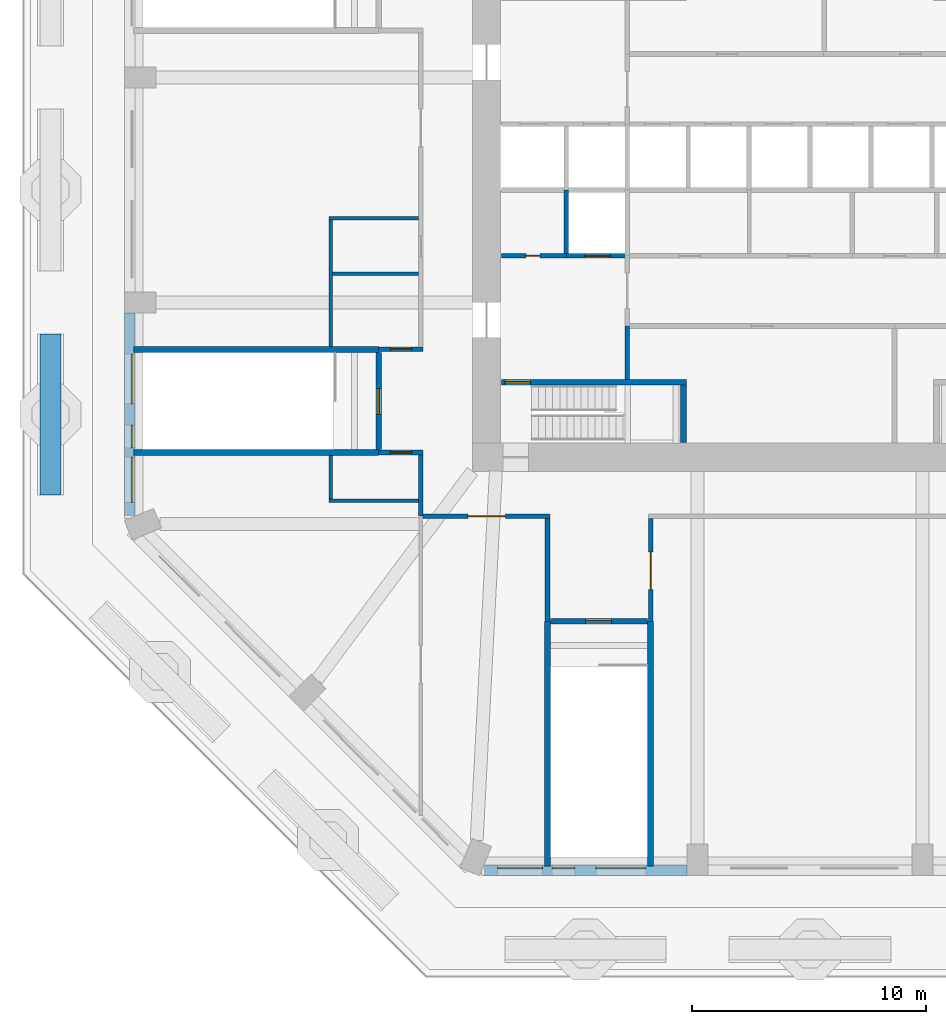
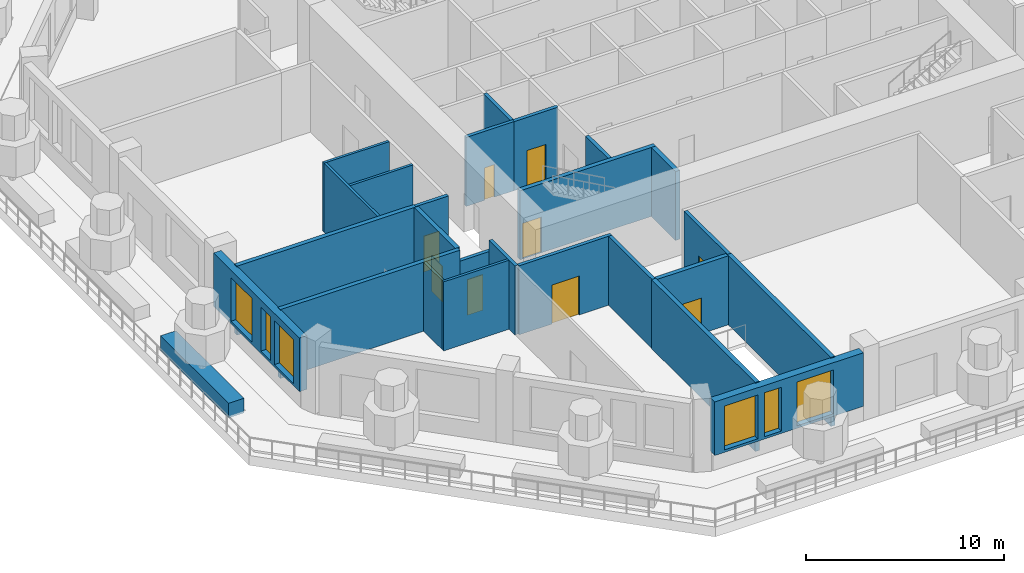
# One storey, part 3 of 13: 26 walls, 9 doors, 6 windows, 15 openings.
"""IFC4 building model written with IfcOpenShell, lengths in metres."""

import ifcopenshell
import ifcopenshell.guid

model = None  # the IFC model being written
_history = None  # IfcOwnerHistory: only IFC2X3 demands one
_inside = {}  # id of a spatial element -> (the spatial element, [elements in it])
_under = {}  # id of a project, library or spatial element -> (it, [spatial elements below it])
_declared = {}  # id of a project -> (the project, [libraries it declares])
_typed = {}  # id of a type object -> (the type object, [elements of that type])
_made_of = {}  # id of a material, layer set ... -> (it, [elements and type objects made of it])


def new_model(schema):
    """Start an empty IFC model of exactly this schema.

    Asked for "IFC4X3", IfcOpenShell would pick the latest addendum, in which some entities
    have other attributes; the version numbers below select the first issue.
    IFC2X3 requires an IfcOwnerHistory on every rooted entity: one is made here for all.
    """
    global model, _history
    if schema == "IFC4X3":
        model = ifcopenshell.file(schema_version=(4, 3, 0, 0))
    else:
        model = ifcopenshell.file(schema=schema)
    _inside.clear()
    _under.clear()
    _declared.clear()
    _typed.clear()
    _made_of.clear()
    _history = None
    if model.schema == "IFC2X3":
        org = make("IfcOrganization", Name="unknown")
        user = make(
            "IfcPersonAndOrganization",
            ThePerson=make("IfcPerson", FamilyName="unknown"),
            TheOrganization=org,
        )
        app = make(
            "IfcApplication",
            ApplicationDeveloper=org,
            Version="unknown",
            ApplicationFullName="unknown",
            ApplicationIdentifier="unknown",
        )
        _history = make(
            "IfcOwnerHistory",
            OwningUser=user,
            OwningApplication=app,
            ChangeAction="ADDED",
            CreationDate=0,
        )
    return model


def make(cls, **values):
    """One entity of the class cls with the attributes given. An attribute that is None is left unset."""
    return model.create_entity(
        cls, **{name: value for name, value in values.items() if value is not None}
    )


def rooted(cls, **values):
    """An entity with a GlobalId (a new one), such as an element, a storey or a relation."""
    return make(cls, GlobalId=ifcopenshell.guid.new(), OwnerHistory=_history, **values)


def si_unit(unit_type, name, prefix=None):
    """IfcSIUnit, for example si_unit("LENGTHUNIT", "METRE", prefix="MILLI")."""
    return make("IfcSIUnit", UnitType=unit_type, Prefix=prefix, Name=name)


def assignment(units):
    """IfcUnitAssignment: the units of a project."""
    return None if units is None else make("IfcUnitAssignment", Units=units)


def point(xyz):
    """IfcCartesianPoint."""
    return None if xyz is None else make("IfcCartesianPoint", Coordinates=xyz)


def direction(xyz):
    """IfcDirection."""
    return None if xyz is None else make("IfcDirection", DirectionRatios=xyz)


def frame(location, z_axis=None, x_axis=None):
    """IfcAxis2Placement3D, a coordinate frame: its origin and axes. An axis left out is left unset."""
    return make(
        "IfcAxis2Placement3D",
        Location=point(location),
        Axis=direction(z_axis),
        RefDirection=direction(x_axis),
    )


def frame_2d(location, x_axis=None):
    """IfcAxis2Placement2D, a coordinate frame in the plane: its origin and x axis."""
    return make(
        "IfcAxis2Placement2D", Location=point(location), RefDirection=direction(x_axis)
    )


def origin():
    """The frame at (0, 0, 0) with its axes left unset."""
    return frame((0.0, 0.0, 0.0))


def place(relative_to, where):
    """IfcLocalPlacement: puts the frame where relative to a parent placement (None: the world)."""
    return make(
        "IfcLocalPlacement", PlacementRelTo=relative_to, RelativePlacement=where
    )


def context(
    kind, dimensions, precision=None, world=None, true_north=None, identifier=None
):
    """IfcGeometricRepresentationContext, for example the 3D "Model" context."""
    return make(
        "IfcGeometricRepresentationContext",
        ContextIdentifier=identifier,
        ContextType=kind,
        CoordinateSpaceDimension=dimensions,
        Precision=precision,
        WorldCoordinateSystem=world,
        TrueNorth=true_north,
    )


def subcontext(parent, identifier, kind, view, scale=None):
    """IfcGeometricRepresentationSubContext, for example "Body" below "Model"."""
    return make(
        "IfcGeometricRepresentationSubContext",
        ContextIdentifier=identifier,
        ContextType=kind,
        ParentContext=parent,
        TargetScale=scale,
        TargetView=view,
    )


def project(units=None, contexts=None):
    """IfcProject with its units and contexts."""
    return rooted(
        "IfcProject",
        Name="project",
        RepresentationContexts=contexts,
        UnitsInContext=assignment(units),
    )


def spatial(cls, under=None, at=None, **own):
    """A site, building, storey or space (cls), placed at a placement, below another one or the project."""
    s = rooted(cls, ObjectPlacement=at, **own)
    if under is not None:
        _under.setdefault(under.id(), (under, []))[1].append(s)
    return s


def profile(cls, at=None, kind="AREA", **sizes):
    """A parametric profile (cls). Its sizes go by their IFC names, for example OverallWidth=200.0."""
    return make(cls, ProfileType=kind, Position=at, **sizes)


def rectangle(**sizes):
    """IfcRectangleProfileDef."""
    return profile("IfcRectangleProfileDef", **sizes)


def extrude(swept, where, along, depth):
    """IfcExtrudedAreaSolid: the profile swept, set in the frame where, extruded along a direction by depth."""
    return make(
        "IfcExtrudedAreaSolid",
        SweptArea=swept,
        Position=where,
        ExtrudedDirection=direction(along),
        Depth=depth,
    )


def shape(context_of_items, identifier, shape_type, items):
    """IfcShapeRepresentation: the items that make up one representation, for example the "Body"."""
    return make(
        "IfcShapeRepresentation",
        ContextOfItems=context_of_items,
        RepresentationIdentifier=identifier,
        RepresentationType=shape_type,
        Items=items,
    )


def material(Name=None, Category=None):
    """IfcMaterial."""
    return make("IfcMaterial", Name=Name, Category=Category)


def layer(
    of_material, thickness, ventilated=None, Name=None, Category=None, Priority=None
):
    """IfcMaterialLayer: one layer of a wall or slab, of a material (None: an air gap)."""
    return make(
        "IfcMaterialLayer",
        Material=of_material,
        LayerThickness=thickness,
        IsVentilated=ventilated,
        Name=Name,
        Category=Category,
        Priority=Priority,
    )


def layer_set(layers, Name=None):
    """IfcMaterialLayerSet."""
    return make("IfcMaterialLayerSet", MaterialLayers=layers, LayerSetName=Name)


def made_of(thing, what):
    """Note that an element or type object is made of a material, layer set ...; save() writes the relation."""
    if what is not None:
        _made_of.setdefault(what.id(), (what, []))[1].append(thing)
    return thing


def type_object(cls, material=None, **own):
    """A type object (cls), such as IfcWallType, which elements share."""
    return made_of(rooted(cls, **own), material)


def element(
    cls,
    number,
    at=None,
    inside=None,
    cuts=None,
    type_object=None,
    material=None,
    context=None,
    identifier="Body",
    shape_type=None,
    held_by="IfcProductDefinitionShape",
    body=None,
    shapes=None,
    **own,
):
    """One element of the class cls, such as IfcWall. Its Tag is "e" and its number.

    at: its placement. inside: the storey or other place that contains it. cuts: it is an
    opening in that element (IfcRelVoidsElement). A single representation is given by context,
    identifier, shape_type and body (its items); several are given by shapes. held_by: the class
    of the entity that holds the representations. save() writes the other relations.
    """
    e = rooted(cls, Tag="e%d" % number, ObjectPlacement=at, **own)
    if body is not None:
        shapes = [shape(context, identifier, shape_type, body)]
    if shapes is not None:
        e.Representation = make(held_by, Representations=shapes)
    if inside is not None:
        _inside.setdefault(inside.id(), (inside, []))[1].append(e)
    if cuts is not None:
        rooted(
            "IfcRelVoidsElement", RelatingBuildingElement=cuts, RelatedOpeningElement=e
        )
    if type_object is not None:
        _typed.setdefault(type_object.id(), (type_object, []))[1].append(e)
    return made_of(e, material)


def fill(opening, filler):
    """IfcRelFillsElement: the door or window that sits in an opening."""
    return rooted(
        "IfcRelFillsElement",
        RelatingOpeningElement=opening,
        RelatedBuildingElement=filler,
    )


def aggregate(whole, parts):
    """IfcRelAggregates: a whole, such as a stair, and the parts it consists of."""
    return rooted("IfcRelAggregates", RelatingObject=whole, RelatedObjects=parts)


def save(model, path):
    """Write the relations noted so far, then the file.

    IfcRelAggregates (storeys below a building ...), IfcRelContainedInSpatialStructure (elements
    in a storey), IfcRelDefinesByType, IfcRelAssociatesMaterial and IfcRelDeclares: one each for
    every whole, place, type object, material and project.
    """
    for whole, parts in _under.values():
        aggregate(whole, parts)
    for where, things in _inside.values():
        rooted(
            "IfcRelContainedInSpatialStructure",
            RelatedElements=things,
            RelatingStructure=where,
        )
    for kind, things in _typed.values():
        rooted("IfcRelDefinesByType", RelatedObjects=things, RelatingType=kind)
    for what, things in _made_of.values():
        rooted("IfcRelAssociatesMaterial", RelatedObjects=things, RelatingMaterial=what)
    for by, libraries in _declared.values():
        rooted("IfcRelDeclares", RelatingContext=by, RelatedDefinitions=libraries)
    model.write(path)


model = new_model("IFC4")

# Units and contexts
model_context = context("Model", 3, precision=1e-05, world=origin(), true_north=direction((0.0, 1.0)))
body_context = subcontext(model_context, "Body", "Model", "MODEL_VIEW")
ifc_project = project(units=[si_unit("LENGTHUNIT", "METRE"), si_unit("AREAUNIT", "SQUARE_METRE"), si_unit("VOLUMEUNIT", "CUBIC_METRE"), si_unit("PLANEANGLEUNIT", "RADIAN"), si_unit("MASSUNIT", "GRAM", prefix="KILO")], contexts=[model_context])

# Site, building, storey
site_placement = place(None, origin())
site = spatial("IfcSite", under=ifc_project, at=site_placement, CompositionType="ELEMENT")
building_placement = place(site_placement, origin())
building = spatial("IfcBuilding", under=site, at=building_placement, Name="Msitu Wima Residences", CompositionType="ELEMENT")
storey_placement = place(building_placement, frame((0.0, 0.0, 21.0)))
storey = spatial("IfcBuildingStorey", under=building, at=storey_placement, Name="L04", CompositionType="ELEMENT", Elevation=21.0)

# Wall, openings, windows
ifc_material_1 = material(Name="Brick (red buff mix), cavity wall of two leaves", Category="masonry")
ifc_layer_1 = layer(ifc_material_1, 0.449951171875)
ifc_layer_set_1 = layer_set([ifc_layer_1], Name="Brick (red buff mix), cavity wall of two leaves")
wall_type_1 = type_object("IfcWallType", Name="Brick infill wall BW450 podium", PredefinedType="ELEMENTEDWALL", material=ifc_layer_set_1)
wall_1_placement = place(storey_placement, frame((-29.02490234375, -5.25, 0.89990234375), z_axis=(0.0, 0.0, 1.0), x_axis=(0.0, -1.0, 0.0)))
wall_1 = element("IfcWall", 1, at=wall_1_placement, inside=storey, type_object=wall_type_1, Name="Brick infill wall L04 W2", PredefinedType="ELEMENTEDWALL", context=body_context, shape_type="SweptSolid", body=[
    extrude(rectangle(XDim=8.662841796875, YDim=0.449951171875, at=frame_2d((4.33154296875, 0.0))), origin(), (0.0, 0.0, 1.0), 3.300048828125),
])
opening_1_placement = place(wall_1_placement, frame((1.75, 0.0, 0.14990234375)))
opening_1 = element("IfcOpeningElement", 2, at=opening_1_placement, cuts=wall_1, Name="Opening W04.039", PredefinedType="OPENING", context=body_context, shape_type="SweptSolid", body=[
    extrude(rectangle(XDim=2.1298828125, YDim=2.699951171875, at=frame_2d((1.06494140625, 1.35009765625))), frame((0.0, 0.23486328125, 0.0), z_axis=(0.0, -1.0, 0.0), x_axis=(1.0, 0.0, 0.0)), (0.0, 0.0, 1.0), 0.469970703125),
])
opening_2_placement = place(wall_1_placement, frame((4.781494140625, 0.0, 0.14990234375)))
opening_2 = element("IfcOpeningElement", 3, at=opening_2_placement, cuts=wall_1, Name="Opening W04.040", PredefinedType="OPENING", context=body_context, shape_type="SweptSolid", body=[
    extrude(rectangle(XDim=0.969970703125, YDim=2.699951171875, at=frame_2d((0.48486328125, 1.35009765625))), frame((0.0, 0.23486328125, 0.0), z_axis=(0.0, -1.0, 0.0), x_axis=(1.0, 0.0, 0.0)), (0.0, 0.0, 1.0), 0.469970703125),
])
opening_3_placement = place(wall_1_placement, frame((6.14990234375, 0.0, 0.14990234375)))
opening_3 = element("IfcOpeningElement", 4, at=opening_3_placement, cuts=wall_1, Name="Opening W04.041", PredefinedType="OPENING", context=body_context, shape_type="SweptSolid", body=[
    extrude(rectangle(XDim=1.929931640625, YDim=2.699951171875, at=frame_2d((0.96484375, 1.35009765625))), frame((0.0, 0.23486328125, 0.0), z_axis=(0.0, -1.0, 0.0), x_axis=(1.0, 0.0, 0.0)), (0.0, 0.0, 1.0), 0.469970703125),
])
ifc_material_2 = material(Name="Anodised aluminium, bronze finish, clear low-emissivity double glazing", Category="aluminium")
window_type_1 = type_object("IfcWindowType", Name="Window W1930x2700", PartitioningType="DOUBLE_PANEL_VERTICAL", PredefinedType="WINDOW", material=ifc_material_2)
window_1_placement = place(opening_3_placement, origin())
window_1 = element("IfcWindow", 5, at=window_1_placement, inside=storey, type_object=window_type_1, Name="Window L04 W2.2b", OverallHeight=2.699951171875, OverallWidth=1.929931640625, PartitioningType="SINGLE_PANEL", PredefinedType="WINDOW", context=body_context, shape_type="SweptSolid", body=[
    extrude(rectangle(XDim=1.929931640625, YDim=2.699951171875, at=frame_2d((0.96484375, 1.35009765625))), frame((0.0, 0.135009765625, 0.0), z_axis=(0.0, -1.0, 0.0), x_axis=(1.0, 0.0, 0.0)), (0.0, 0.0, 1.0), 0.06005859375),
])
fill(opening_3, window_1)
window_type_2 = type_object("IfcWindowType", Name="Window W2130x2700", PartitioningType="DOUBLE_PANEL_VERTICAL", PredefinedType="WINDOW", material=ifc_material_2)
window_2_placement = place(opening_1_placement, origin())
window_2 = element("IfcWindow", 6, at=window_2_placement, inside=storey, type_object=window_type_2, Name="Window L04 W2.1b", OverallHeight=2.699951171875, OverallWidth=2.1298828125, PartitioningType="SINGLE_PANEL", PredefinedType="WINDOW", context=body_context, shape_type="SweptSolid", body=[
    extrude(rectangle(XDim=2.1298828125, YDim=2.699951171875, at=frame_2d((1.06494140625, 1.35009765625))), frame((0.0, 0.135009765625, 0.0), z_axis=(0.0, -1.0, 0.0), x_axis=(1.0, 0.0, 0.0)), (0.0, 0.0, 1.0), 0.06005859375),
])
fill(opening_1, window_2)
window_type_3 = type_object("IfcWindowType", Name="Window W970x2700", PartitioningType="DOUBLE_PANEL_VERTICAL", PredefinedType="WINDOW", material=ifc_material_2)
window_3_placement = place(opening_2_placement, origin())
window_3 = element("IfcWindow", 7, at=window_3_placement, inside=storey, type_object=window_type_3, Name="Window L04 W2.2a", OverallHeight=2.699951171875, OverallWidth=0.969970703125, PartitioningType="SINGLE_PANEL", PredefinedType="WINDOW", context=body_context, shape_type="SweptSolid", body=[
    extrude(rectangle(XDim=0.969970703125, YDim=2.699951171875, at=frame_2d((0.48486328125, 1.35009765625))), frame((0.0, 0.135009765625, 0.0), z_axis=(0.0, -1.0, 0.0), x_axis=(1.0, 0.0, 0.0)), (0.0, 0.0, 1.0), 0.06005859375),
])
fill(opening_2, window_3)

wall_2_placement = place(storey_placement, frame((-13.912841796875, -29.02490234375, 0.89990234375), z_axis=(0.0, 0.0, 1.0), x_axis=(1.0, 0.0, 0.0)))
wall_2 = element("IfcWall", 8, at=wall_2_placement, inside=storey, type_object=wall_type_1, Name="Brick infill wall L04 S0", PredefinedType="ELEMENTEDWALL", context=body_context, shape_type="SweptSolid", body=[
    extrude(rectangle(XDim=8.662841796875, YDim=0.449951171875, at=frame_2d((4.33154296875, 0.0))), origin(), (0.0, 0.0, 1.0), 3.300048828125),
])
opening_4_placement = place(wall_2_placement, frame((0.58154296875, 0.0, 0.14990234375)))
opening_4 = element("IfcOpeningElement", 9, at=opening_4_placement, cuts=wall_2, Name="Opening W04.021", PredefinedType="OPENING", context=body_context, shape_type="SweptSolid", body=[
    extrude(rectangle(XDim=1.929931640625, YDim=2.699951171875, at=frame_2d((0.96484375, 1.35009765625))), frame((0.0, 0.23486328125, 0.0), z_axis=(0.0, -1.0, 0.0), x_axis=(1.0, 0.0, 0.0)), (0.0, 0.0, 1.0), 0.469970703125),
])
opening_5_placement = place(wall_2_placement, frame((2.912841796875, 0.0, 0.14990234375)))
opening_5 = element("IfcOpeningElement", 10, at=opening_5_placement, cuts=wall_2, Name="Opening W04.022", PredefinedType="OPENING", context=body_context, shape_type="SweptSolid", body=[
    extrude(rectangle(XDim=0.969970703125, YDim=2.699951171875, at=frame_2d((0.48486328125, 1.35009765625))), frame((0.0, 0.23486328125, 0.0), z_axis=(0.0, -1.0, 0.0), x_axis=(1.0, 0.0, 0.0)), (0.0, 0.0, 1.0), 0.469970703125),
])
opening_6_placement = place(wall_2_placement, frame((4.781494140625, 0.0, 0.14990234375)))
opening_6 = element("IfcOpeningElement", 11, at=opening_6_placement, cuts=wall_2, Name="Opening W04.023", PredefinedType="OPENING", context=body_context, shape_type="SweptSolid", body=[
    extrude(rectangle(XDim=2.1298828125, YDim=2.699951171875, at=frame_2d((1.06494140625, 1.35009765625))), frame((0.0, 0.23486328125, 0.0), z_axis=(0.0, -1.0, 0.0), x_axis=(1.0, 0.0, 0.0)), (0.0, 0.0, 1.0), 0.469970703125),
])
window_4_placement = place(opening_4_placement, origin())
window_4 = element("IfcWindow", 12, at=window_4_placement, inside=storey, type_object=window_type_1, Name="Window L04 S0.1a", OverallHeight=2.699951171875, OverallWidth=1.929931640625, PartitioningType="SINGLE_PANEL", PredefinedType="WINDOW", context=body_context, shape_type="SweptSolid", body=[
    extrude(rectangle(XDim=1.929931640625, YDim=2.699951171875, at=frame_2d((0.96484375, 1.35009765625))), frame((0.0, 0.135009765625, 0.0), z_axis=(0.0, -1.0, 0.0), x_axis=(1.0, 0.0, 0.0)), (0.0, 0.0, 1.0), 0.06005859375),
])
fill(opening_4, window_4)
window_5_placement = place(opening_6_placement, origin())
window_5 = element("IfcWindow", 13, at=window_5_placement, inside=storey, type_object=window_type_2, Name="Window L04 S0.2a", OverallHeight=2.699951171875, OverallWidth=2.1298828125, PartitioningType="SINGLE_PANEL", PredefinedType="WINDOW", context=body_context, shape_type="SweptSolid", body=[
    extrude(rectangle(XDim=2.1298828125, YDim=2.699951171875, at=frame_2d((1.06494140625, 1.35009765625))), frame((0.0, 0.135009765625, 0.0), z_axis=(0.0, -1.0, 0.0), x_axis=(1.0, 0.0, 0.0)), (0.0, 0.0, 1.0), 0.06005859375),
])
fill(opening_6, window_5)
window_6_placement = place(opening_5_placement, origin())
window_6 = element("IfcWindow", 14, at=window_6_placement, inside=storey, type_object=window_type_3, Name="Window L04 S0.1b", OverallHeight=2.699951171875, OverallWidth=0.969970703125, PartitioningType="SINGLE_PANEL", PredefinedType="WINDOW", context=body_context, shape_type="SweptSolid", body=[
    extrude(rectangle(XDim=0.969970703125, YDim=2.699951171875, at=frame_2d((0.48486328125, 1.35009765625))), frame((0.0, 0.135009765625, 0.0), z_axis=(0.0, -1.0, 0.0), x_axis=(1.0, 0.0, 0.0)), (0.0, 0.0, 1.0), 0.06005859375),
])
fill(opening_5, window_6)

# Wall, opening, door
ifc_material_3 = material(Name="Plaster")
ifc_layer_2 = layer(ifc_material_3, 0.011962890625, Name="Plaster")
ifc_material_4 = material(Name="Concrete blockwork", Category="masonry")
ifc_layer_3 = layer(ifc_material_4, 0.176025390625, Name="Concrete blockwork")
ifc_layer_4 = layer(ifc_material_3, 0.011962890625, Name="Plaster")
ifc_layer_set_2 = layer_set([ifc_layer_2, ifc_layer_3, ifc_layer_4], Name="Concrete blockwork")
wall_type_2 = type_object("IfcWallType", Name="Corridor wall FW200", PredefinedType="PARTITIONING", material=ifc_layer_set_2)
wall_3_placement = place(storey_placement, frame((-18.39990234375, -11.199951171875, 0.0), z_axis=(0.0, 0.0, 1.0), x_axis=(1.0, 0.0, 0.0)))
wall_3 = element("IfcWall", 15, at=wall_3_placement, inside=storey, type_object=wall_type_2, Name="Corridor wall", PredefinedType="PARTITIONING", context=body_context, shape_type="SweptSolid", body=[
    extrude(rectangle(XDim=1.89990234375, YDim=0.199951171875, at=frame_2d((0.949951171875, 0.0))), origin(), (0.0, 0.0, 1.0), 3.550048828125),
])
opening_7_placement = place(wall_3_placement, frame((0.5, 0.0, 0.0)))
opening_7 = element("IfcOpeningElement", 16, at=opening_7_placement, cuts=wall_3, Name="Opening D04.033", PredefinedType="OPENING", context=body_context, shape_type="SweptSolid", body=[
    extrude(rectangle(XDim=0.89990234375, YDim=2.199951171875, at=frame_2d((0.449951171875, 1.10009765625))), frame((0.0, 0.10986328125, 0.0), z_axis=(0.0, -1.0, 0.0), x_axis=(1.0, 0.0, 0.0)), (0.0, 0.0, 1.0), 0.219970703125),
])
ifc_material_5 = material(Name="Timber flush door, moisture resistant", Category="wood")
door_type_1 = type_object("IfcDoorType", Name="Bathroom door D03 900x2200", OperationType="SINGLE_SWING_LEFT", PredefinedType="DOOR", material=ifc_material_5)
door_1_placement = place(opening_7_placement, origin())
door_1 = element("IfcDoor", 17, at=door_1_placement, inside=storey, type_object=door_type_1, Name="Bathroom door", OperationType="SINGLE_SWING_LEFT", OverallHeight=2.199951171875, OverallWidth=0.89990234375, PredefinedType="DOOR", context=body_context, shape_type="SweptSolid", body=[
    extrude(rectangle(XDim=0.89990234375, YDim=2.199951171875, at=frame_2d((0.449951171875, 1.10009765625))), frame((0.0, 0.02490234375, 0.0), z_axis=(0.0, -1.0, 0.0), x_axis=(1.0, 0.0, 0.0)), (0.0, 0.0, 1.0), 0.050048828125),
])
fill(opening_7, door_1)

wall_4_placement = place(storey_placement, frame((-18.39990234375, -6.800048828125, 0.0), z_axis=(0.0, 0.0, 1.0), x_axis=(1.0, 0.0, 0.0)))
wall_4 = element("IfcWall", 18, at=wall_4_placement, inside=storey, type_object=wall_type_2, Name="Corridor wall", PredefinedType="PARTITIONING", context=body_context, shape_type="SweptSolid", body=[
    extrude(rectangle(XDim=1.89990234375, YDim=0.199951171875, at=frame_2d((0.949951171875, 0.0))), origin(), (0.0, 0.0, 1.0), 4.25),
])
opening_8_placement = place(wall_4_placement, frame((0.5, 0.0, 0.0)))
opening_8 = element("IfcOpeningElement", 19, at=opening_8_placement, cuts=wall_4, Name="Opening D04.034", PredefinedType="OPENING", context=body_context, shape_type="SweptSolid", body=[
    extrude(rectangle(XDim=0.89990234375, YDim=2.199951171875, at=frame_2d((0.449951171875, 1.10009765625))), frame((0.0, 0.10986328125, 0.0), z_axis=(0.0, -1.0, 0.0), x_axis=(1.0, 0.0, 0.0)), (0.0, 0.0, 1.0), 0.219970703125),
])
door_2_placement = place(opening_8_placement, origin())
door_2 = element("IfcDoor", 20, at=door_2_placement, inside=storey, type_object=door_type_1, Name="Bathroom door", OperationType="SINGLE_SWING_RIGHT", OverallHeight=2.199951171875, OverallWidth=0.89990234375, PredefinedType="DOOR", context=body_context, shape_type="SweptSolid", body=[
    extrude(rectangle(XDim=0.89990234375, YDim=2.199951171875, at=frame_2d((0.449951171875, 1.10009765625))), frame((0.0, 0.02490234375, 0.0), z_axis=(0.0, -1.0, 0.0), x_axis=(1.0, 0.0, 0.0)), (0.0, 0.0, 1.0), 0.050048828125),
])
fill(opening_8, door_2)

# Wall
wall_5_placement = place(storey_placement, frame((-16.60009765625, -13.91357421875, 0.0), z_axis=(0.0, 0.0, 1.0), x_axis=(0.0, 1.0, 0.0)))
element("IfcWall", 21, at=wall_5_placement, inside=storey, type_object=wall_type_2, Name="Corridor wall", PredefinedType="PARTITIONING", context=body_context, shape_type="SweptSolid", body=[
    extrude(rectangle(XDim=2.613525390625, YDim=0.199951171875, at=frame_2d((1.306640625, 0.0))), origin(), (0.0, 0.0, 1.0), 4.25),
])

# Wall, opening, door
wall_6_placement = place(storey_placement, frame((-16.5, -13.91357421875, 0.0), z_axis=(0.0, 0.0, 1.0), x_axis=(1.0, 0.0, 0.0)))
wall_6 = element("IfcWall", 22, at=wall_6_placement, inside=storey, type_object=wall_type_2, Name="Corridor wall", PredefinedType="PARTITIONING", context=body_context, shape_type="SweptSolid", body=[
    extrude(rectangle(XDim=5.39990234375, YDim=0.199951171875, at=frame_2d((2.699951171875, 0.0))), origin(), (0.0, 0.0, 1.0), 4.25),
])
opening_9_placement = place(wall_6_placement, frame((1.89990234375, 0.0, 0.0)))
opening_9 = element("IfcOpeningElement", 23, at=opening_9_placement, cuts=wall_6, Name="Opening D04.031", PredefinedType="OPENING", context=body_context, shape_type="SweptSolid", body=[
    extrude(rectangle(XDim=1.60009765625, YDim=2.39990234375, at=frame_2d((0.800048828125, 1.199951171875))), frame((0.0, 0.10986328125, 0.0), z_axis=(0.0, -1.0, 0.0), x_axis=(1.0, 0.0, 0.0)), (0.0, 0.0, 1.0), 0.219970703125),
])
ifc_material_6 = material(Name="Black aluminium glazed door", Category="aluminium")
door_type_2 = type_object("IfcDoorType", Name="Amenity door D10 1600x2400", OperationType="DOUBLE_DOOR_SINGLE_SWING", PredefinedType="DOOR", material=ifc_material_6)
door_3_placement = place(opening_9_placement, origin())
door_3 = element("IfcDoor", 24, at=door_3_placement, inside=storey, type_object=door_type_2, Name="Amenity door", OperationType="DOUBLE_DOOR_SINGLE_SWING", OverallHeight=2.39990234375, OverallWidth=1.60009765625, PredefinedType="DOOR", context=body_context, shape_type="SweptSolid", body=[
    extrude(rectangle(XDim=1.60009765625, YDim=2.39990234375, at=frame_2d((0.800048828125, 1.199951171875))), frame((0.0, 0.02490234375, 0.0), z_axis=(0.0, -1.0, 0.0), x_axis=(1.0, 0.0, 0.0)), (0.0, 0.0, 1.0), 0.050048828125),
])
fill(opening_9, door_3)

# Wall
wall_7_placement = place(storey_placement, frame((-11.199951171875, -18.39990234375, 0.0), z_axis=(0.0, 0.0, 1.0), x_axis=(0.0, 1.0, 0.0)))
element("IfcWall", 25, at=wall_7_placement, inside=storey, type_object=wall_type_2, Name="Corridor wall", PredefinedType="PARTITIONING", context=body_context, shape_type="SweptSolid", body=[
    extrude(rectangle(XDim=4.386474609375, YDim=0.199951171875, at=frame_2d((2.193359375, 0.0))), origin(), (0.0, 0.0, 1.0), 4.25),
])

# Wall, opening, door
wall_8_placement = place(storey_placement, frame((-6.800048828125, -18.39990234375, 0.0), z_axis=(0.0, 0.0, 1.0), x_axis=(0.0, 1.0, 0.0)))
wall_8 = element("IfcWall", 26, at=wall_8_placement, inside=storey, type_object=wall_type_2, Name="Corridor wall", PredefinedType="PARTITIONING", context=body_context, shape_type="SweptSolid", body=[
    extrude(rectangle(XDim=4.386474609375, YDim=0.199951171875, at=frame_2d((2.193359375, 0.0))), origin(), (0.0, 0.0, 1.0), 4.25),
])
opening_10_placement = place(wall_8_placement, frame((1.35009765625, 0.0, 0.0)))
opening_10 = element("IfcOpeningElement", 27, at=opening_10_placement, cuts=wall_8, Name="Opening D04.032", PredefinedType="OPENING", context=body_context, shape_type="SweptSolid", body=[
    extrude(rectangle(XDim=1.60009765625, YDim=2.39990234375, at=frame_2d((0.800048828125, 1.199951171875))), frame((0.0, 0.10986328125, 0.0), z_axis=(0.0, -1.0, 0.0), x_axis=(1.0, 0.0, 0.0)), (0.0, 0.0, 1.0), 0.219970703125),
])
door_4_placement = place(opening_10_placement, origin())
door_4 = element("IfcDoor", 28, at=door_4_placement, inside=storey, type_object=door_type_2, Name="Amenity door", OperationType="DOUBLE_DOOR_SINGLE_SWING", OverallHeight=2.39990234375, OverallWidth=1.60009765625, PredefinedType="DOOR", context=body_context, shape_type="SweptSolid", body=[
    extrude(rectangle(XDim=1.60009765625, YDim=2.39990234375, at=frame_2d((0.800048828125, 1.199951171875))), frame((0.0, 0.02490234375, 0.0), z_axis=(0.0, -1.0, 0.0), x_axis=(1.0, 0.0, 0.0)), (0.0, 0.0, 1.0), 0.050048828125),
])
fill(opening_10, door_4)

# Walls
ifc_layer_5 = layer(ifc_material_3, 0.011962890625, Name="Plaster")
ifc_layer_6 = layer(ifc_material_4, 0.1259765625, Name="Concrete blockwork")
ifc_layer_7 = layer(ifc_material_3, 0.011962890625, Name="Plaster")
ifc_layer_set_3 = layer_set([ifc_layer_5, ifc_layer_6, ifc_layer_7], Name="Concrete blockwork")
wall_type_3 = type_object("IfcWallType", Name="Partition PW150", PredefinedType="PARTITIONING", material=ifc_layer_set_3)
wall_9_placement = place(storey_placement, frame((-20.44091796875, -13.181640625, 0.0), z_axis=(0.0, 0.0, 1.0), x_axis=(0.0, 1.0, 0.0)))
element("IfcWall", 29, at=wall_9_placement, inside=storey, type_object=wall_type_3, Name="Partition", PredefinedType="PARTITIONING", context=body_context, shape_type="SweptSolid", body=[
    extrude(rectangle(XDim=1.856689453125, YDim=0.14990234375, at=frame_2d((0.92822265625, 0.0))), origin(), (0.0, 0.0, 1.0), 4.25),
])
wall_10_placement = place(storey_placement, frame((-20.515869140625, -13.2568359375, 0.0), z_axis=(0.0, 0.0, 1.0), x_axis=(1.0, 0.0, 0.0)))
element("IfcWall", 30, at=wall_10_placement, inside=storey, type_object=wall_type_3, Name="Partition", PredefinedType="PARTITIONING", context=body_context, shape_type="SweptSolid", body=[
    extrude(rectangle(XDim=3.81591796875, YDim=0.14990234375, at=frame_2d((1.907958984375, 0.0))), origin(), (0.0, 0.0, 1.0), 4.25),
])
wall_11_placement = place(storey_placement, frame((-20.44091796875, -6.675048828125, 0.0), z_axis=(0.0, 0.0, 1.0), x_axis=(0.0, 1.0, 0.0)))
element("IfcWall", 31, at=wall_11_placement, inside=storey, type_object=wall_type_3, Name="Partition", PredefinedType="PARTITIONING", context=body_context, shape_type="SweptSolid", body=[
    extrude(rectangle(XDim=5.400146484375, YDim=0.14990234375, at=frame_2d((2.7001953125, 0.0))), origin(), (0.0, 0.0, 1.0), 4.25),
])
wall_12_placement = place(storey_placement, frame((-20.365966796875, -3.5712890625, 0.0), z_axis=(0.0, 0.0, 1.0), x_axis=(1.0, 0.0, 0.0)))
element("IfcWall", 32, at=wall_12_placement, inside=storey, type_object=wall_type_3, Name="Partition", PredefinedType="PARTITIONING", context=body_context, shape_type="SweptSolid", body=[
    extrude(rectangle(XDim=3.666015625, YDim=0.14990234375, at=frame_2d((1.8330078125, 0.0))), origin(), (0.0, 0.0, 1.0), 4.25),
])
wall_13_placement = place(storey_placement, frame((-20.515869140625, -1.199951171875, 0.0), z_axis=(0.0, 0.0, 1.0), x_axis=(1.0, 0.0, 0.0)))
element("IfcWall", 33, at=wall_13_placement, inside=storey, type_object=wall_type_3, Name="Partition", PredefinedType="PARTITIONING", context=body_context, shape_type="SweptSolid", body=[
    extrude(rectangle(XDim=3.81591796875, YDim=0.14990234375, at=frame_2d((1.907958984375, 0.0))), origin(), (0.0, 0.0, 1.0), 4.25),
])

# Wall, opening, door
ifc_layer_8 = layer(ifc_material_3, 0.011962890625, Name="Plaster")
ifc_material_7 = material(Name="Reinforced concrete blockwork", Category="masonry")
ifc_layer_9 = layer(ifc_material_7, 0.176025390625, Name="Reinforced concrete blockwork")
ifc_layer_10 = layer(ifc_material_3, 0.011962890625, Name="Plaster")
ifc_layer_set_4 = layer_set([ifc_layer_8, ifc_layer_9, ifc_layer_10], Name="Reinforced concrete blockwork")
wall_type_4 = type_object("IfcWallType", Name="Plant and riser wall PL200", PredefinedType="PARTITIONING", material=ifc_layer_set_4)
wall_14_placement = place(storey_placement, frame((-13.169921875, -2.800048828125, 0.0), z_axis=(0.0, 0.0, 1.0), x_axis=(1.0, 0.0, 0.0)))
wall_14 = element("IfcWall", 34, at=wall_14_placement, inside=storey, type_object=wall_type_4, Name="Plant and riser wall", PredefinedType="PARTITIONING", context=body_context, shape_type="SweptSolid", body=[
    extrude(rectangle(XDim=2.7900390625, YDim=0.199951171875, at=frame_2d((1.39501953125, 0.0))), origin(), (0.0, 0.0, 1.0), 4.25),
])
opening_11_placement = place(wall_14_placement, frame((1.050048828125, 0.0, 0.0)))
opening_11 = element("IfcOpeningElement", 35, at=opening_11_placement, cuts=wall_14, Name="Opening D04.018", PredefinedType="OPENING", context=body_context, shape_type="SweptSolid", body=[
    extrude(rectangle(XDim=0.60009765625, YDim=2.0, at=frame_2d((0.300048828125, 1.0))), frame((0.0, 0.10986328125, 0.0), z_axis=(0.0, -1.0, 0.0), x_axis=(1.0, 0.0, 0.0)), (0.0, 0.0, 1.0), 0.219970703125),
])
ifc_material_8 = material(Name="Steel access door, fire resisting", Category="steel")
door_type_3 = type_object("IfcDoorType", Name="Riser access door D08 600x2000", OperationType="SINGLE_SWING_LEFT", PredefinedType="DOOR", material=ifc_material_8)
door_5_placement = place(opening_11_placement, origin())
door_5 = element("IfcDoor", 36, at=door_5_placement, inside=storey, type_object=door_type_3, Name="Riser access door", OperationType="SINGLE_SWING_RIGHT", OverallHeight=2.0, OverallWidth=0.60009765625, PredefinedType="DOOR", context=body_context, shape_type="SweptSolid", body=[
    extrude(rectangle(XDim=0.60009765625, YDim=2.0, at=frame_2d((0.300048828125, 1.0))), frame((0.0, 0.02490234375, 0.0), z_axis=(0.0, -1.0, 0.0), x_axis=(1.0, 0.0, 0.0)), (0.0, 0.0, 1.0), 0.050048828125),
])
fill(opening_11, door_5)

# Walls
wall_15_placement = place(storey_placement, frame((-7.800048828125, -8.074951171875, 0.0), z_axis=(0.0, 0.0, 1.0), x_axis=(0.0, 1.0, 0.0)))
element("IfcWall", 37, at=wall_15_placement, inside=storey, type_object=wall_type_4, Name="Plant and riser wall", PredefinedType="PARTITIONING", context=body_context, shape_type="SweptSolid", body=[
    extrude(rectangle(XDim=2.27490234375, YDim=0.199951171875, at=frame_2d((1.137451171875, 0.0))), origin(), (0.0, 0.0, 1.0), 4.25),
])
ifc_material_9 = material(Name="Fire-rated board")
ifc_layer_11 = layer(ifc_material_9, 0.02490234375, Name="Fire-rated board")
ifc_material_10 = material(Name="Light-gauge stud framing with mineral wool")
ifc_layer_12 = layer(ifc_material_10, 0.14990234375, Name="Light-gauge stud framing with mineral wool")
ifc_layer_13 = layer(ifc_material_9, 0.02490234375, Name="Fire-rated board")
ifc_layer_set_5 = layer_set([ifc_layer_11, ifc_layer_12, ifc_layer_13], Name="Light-gauge stud framing with mineral wool")
wall_type_5 = type_object("IfcWallType", Name="Shaft wall SH200", PredefinedType="PARTITIONING", material=ifc_layer_set_5)
wall_16_placement = place(storey_placement, frame((-10.39990234375, -2.699951171875, 0.0), z_axis=(0.0, 0.0, 1.0), x_axis=(0.0, 1.0, 0.0)))
element("IfcWall", 38, at=wall_16_placement, inside=storey, type_object=wall_type_5, Name="Shaft wall", PredefinedType="PARTITIONING", context=body_context, shape_type="SweptSolid", body=[
    extrude(rectangle(XDim=2.699951171875, YDim=0.199951171875, at=frame_2d((1.35009765625, 0.0))), origin(), (0.0, 0.0, 1.0), 4.25),
])

# Wall, opening, door
wall_17_placement = place(storey_placement, frame((-10.3798828125, -2.800048828125, 0.0), z_axis=(0.0, 0.0, 1.0), x_axis=(1.0, 0.0, 0.0)))
wall_17 = element("IfcWall", 39, at=wall_17_placement, inside=storey, type_object=wall_type_5, Name="Shaft wall", PredefinedType="PARTITIONING", context=body_context, shape_type="SweptSolid", body=[
    extrude(rectangle(XDim=2.559814453125, YDim=0.199951171875, at=frame_2d((1.27978515625, 0.0))), origin(), (0.0, 0.0, 1.0), 4.25),
])
opening_12_placement = place(wall_17_placement, frame((0.75, 0.0, 0.0)))
opening_12 = element("IfcOpeningElement", 40, at=opening_12_placement, cuts=wall_17, Name="Opening LD", PredefinedType="OPENING", context=body_context, shape_type="SweptSolid", body=[
    extrude(rectangle(XDim=1.10009765625, YDim=2.199951171875, at=frame_2d((0.550048828125, 1.10009765625))), frame((0.0, 0.10986328125, 0.0), z_axis=(0.0, -1.0, 0.0), x_axis=(1.0, 0.0, 0.0)), (0.0, 0.0, 1.0), 0.219970703125),
])
ifc_material_11 = material(Name="Stainless steel centre-opening landing door, rated", Category="steel")
door_type_4 = type_object("IfcDoorType", Name="Lift landing door LD 1100x2200", OperationType="DOUBLE_DOOR_SLIDING", PredefinedType="DOOR", material=ifc_material_11)
door_6_placement = place(opening_12_placement, origin())
door_6 = element("IfcDoor", 41, at=door_6_placement, inside=storey, type_object=door_type_4, Name="Lift landing door LD3", OperationType="DOUBLE_DOOR_SLIDING", OverallHeight=2.199951171875, OverallWidth=1.10009765625, PredefinedType="DOOR", context=body_context, shape_type="SweptSolid", body=[
    extrude(rectangle(XDim=1.10009765625, YDim=2.199951171875, at=frame_2d((0.550048828125, 1.10009765625))), frame((0.0, 0.02490234375, 0.0), z_axis=(0.0, -1.0, 0.0), x_axis=(1.0, 0.0, 0.0)), (0.0, 0.0, 1.0), 0.050048828125),
])
fill(opening_12, door_6)

# Walls
ifc_material_12 = material(Name="Concrete C50/60", Category="concrete")
ifc_layer_14 = layer(ifc_material_12, 0.25)
ifc_layer_set_6 = layer_set([ifc_layer_14], Name="Concrete C50/60")
wall_type_6 = type_object("IfcWallType", Name="Stair enclosure wall SW250", PredefinedType="SHEAR", material=ifc_layer_set_6)
for number, where, z_axis, x_axis, name in (
    (42, (-28.85498046875, -11.199951171875, 0.0), (0.0, 0.0, 1.0), (1.0, 0.0, 0.0), "Stair enclosure wall"),
    (43, (-28.85498046875, -6.800048828125, 0.0), (0.0, 0.0, 1.0), (1.0, 0.0, 0.0), "Stair enclosure wall"),
):
    element("IfcWall", number, at=place(storey_placement, frame(where, z_axis=z_axis, x_axis=x_axis)), inside=storey, type_object=wall_type_6, Name=name, PredefinedType="SHEAR", context=body_context, shape_type="SweptSolid", body=[
        extrude(rectangle(XDim=10.455078125, YDim=0.25, at=frame_2d((5.2275390625, 0.0))), origin(), (0.0, 0.0, 1.0), 4.25),
    ])

# Wall, opening, door
wall_18_placement = place(storey_placement, frame((-18.39990234375, -11.074951171875, 0.0), z_axis=(0.0, 0.0, 1.0), x_axis=(0.0, 1.0, 0.0)))
wall_18 = element("IfcWall", 44, at=wall_18_placement, inside=storey, type_object=wall_type_6, Name="Stair enclosure wall", PredefinedType="SHEAR", context=body_context, shape_type="SweptSolid", body=[
    extrude(rectangle(XDim=4.14990234375, YDim=0.25, at=frame_2d((2.074951171875, 0.0))), origin(), (0.0, 0.0, 1.0), 4.25),
])
opening_13_placement = place(wall_18_placement, frame((1.5, 0.0, 0.0)))
opening_13 = element("IfcOpeningElement", 45, at=opening_13_placement, cuts=wall_18, Name="Opening D04.043", PredefinedType="OPENING", context=body_context, shape_type="SweptSolid", body=[
    extrude(rectangle(XDim=1.10009765625, YDim=2.199951171875, at=frame_2d((0.550048828125, 1.10009765625))), frame((0.0, 0.135009765625, 0.0), z_axis=(0.0, -1.0, 0.0), x_axis=(1.0, 0.0, 0.0)), (0.0, 0.0, 1.0), 0.27001953125),
])
ifc_material_13 = material(Name="Steel door, fire resisting, panic bar", Category="steel")
door_type_5 = type_object("IfcDoorType", Name="Stair door D13 1100x2200", OperationType="SINGLE_SWING_LEFT", PredefinedType="DOOR", material=ifc_material_13)
door_7_placement = place(opening_13_placement, origin())
door_7 = element("IfcDoor", 46, at=door_7_placement, inside=storey, type_object=door_type_5, Name="Stair door", OperationType="SINGLE_SWING_LEFT", OverallHeight=2.199951171875, OverallWidth=1.10009765625, PredefinedType="DOOR", context=body_context, shape_type="SweptSolid", body=[
    extrude(rectangle(XDim=1.10009765625, YDim=2.199951171875, at=frame_2d((0.550048828125, 1.10009765625))), frame((0.0, 0.02490234375, 0.0), z_axis=(0.0, -1.0, 0.0), x_axis=(1.0, 0.0, 0.0)), (0.0, 0.0, 1.0), 0.050048828125),
])
fill(opening_13, door_7)

wall_19_placement = place(storey_placement, frame((-13.169921875, -8.199951171875, 0.0), z_axis=(0.0, 0.0, 1.0), x_axis=(1.0, 0.0, 0.0)))
wall_19 = element("IfcWall", 47, at=wall_19_placement, inside=storey, type_object=wall_type_6, Name="Stair enclosure wall", PredefinedType="SHEAR", context=body_context, shape_type="SweptSolid", body=[
    extrude(rectangle(XDim=7.89501953125, YDim=0.25, at=frame_2d((3.947509765625, 0.0))), origin(), (0.0, 0.0, 1.0), 4.25),
])
opening_14_placement = place(wall_19_placement, frame((0.14990234375, 0.0, 0.0)))
opening_14 = element("IfcOpeningElement", 48, at=opening_14_placement, cuts=wall_19, Name="Opening D04.024", PredefinedType="OPENING", context=body_context, shape_type="SweptSolid", body=[
    extrude(rectangle(XDim=1.10009765625, YDim=2.199951171875, at=frame_2d((0.550048828125, 1.10009765625))), frame((0.0, 0.135009765625, 0.0), z_axis=(0.0, -1.0, 0.0), x_axis=(1.0, 0.0, 0.0)), (0.0, 0.0, 1.0), 0.27001953125),
])
door_type_6 = type_object("IfcDoorType", Name="Stair door D06 1100x2200", OperationType="SINGLE_SWING_LEFT", PredefinedType="DOOR", material=ifc_material_13)
door_8_placement = place(opening_14_placement, origin())
door_8 = element("IfcDoor", 49, at=door_8_placement, inside=storey, type_object=door_type_6, Name="Stair door", OperationType="SINGLE_SWING_RIGHT", OverallHeight=2.199951171875, OverallWidth=1.10009765625, PredefinedType="DOOR", context=body_context, shape_type="SweptSolid", body=[
    extrude(rectangle(XDim=1.10009765625, YDim=2.199951171875, at=frame_2d((0.550048828125, 1.10009765625))), frame((0.0, 0.02490234375, 0.0), z_axis=(0.0, -1.0, 0.0), x_axis=(1.0, 0.0, 0.0)), (0.0, 0.0, 1.0), 0.050048828125),
])
fill(opening_14, door_8)

# Wall
wall_20_placement = place(storey_placement, frame((-11.199951171875, -28.85498046875, 0.0), z_axis=(0.0, 0.0, 1.0), x_axis=(0.0, 1.0, 0.0)))
element("IfcWall", 50, at=wall_20_placement, inside=storey, type_object=wall_type_6, Name="Stair enclosure wall", PredefinedType="SHEAR", context=body_context, shape_type="SweptSolid", body=[
    extrude(rectangle(XDim=10.455078125, YDim=0.25, at=frame_2d((5.2275390625, 0.0))), origin(), (0.0, 0.0, 1.0), 4.25),
])

# Wall, opening, door
wall_21_placement = place(storey_placement, frame((-11.074951171875, -18.39990234375, 0.0), z_axis=(0.0, 0.0, 1.0), x_axis=(1.0, 0.0, 0.0)))
wall_21 = element("IfcWall", 51, at=wall_21_placement, inside=storey, type_object=wall_type_6, Name="Stair enclosure wall", PredefinedType="SHEAR", context=body_context, shape_type="SweptSolid", body=[
    extrude(rectangle(XDim=4.14990234375, YDim=0.25, at=frame_2d((2.074951171875, 0.0))), origin(), (0.0, 0.0, 1.0), 4.25),
])
opening_15_placement = place(wall_21_placement, frame((1.5, 0.0, 0.0)))
opening_15 = element("IfcOpeningElement", 52, at=opening_15_placement, cuts=wall_21, Name="Opening D04.046", PredefinedType="OPENING", context=body_context, shape_type="SweptSolid", body=[
    extrude(rectangle(XDim=1.10009765625, YDim=2.199951171875, at=frame_2d((0.550048828125, 1.10009765625))), frame((0.0, 0.135009765625, 0.0), z_axis=(0.0, -1.0, 0.0), x_axis=(1.0, 0.0, 0.0)), (0.0, 0.0, 1.0), 0.27001953125),
])
door_9_placement = place(opening_15_placement, origin())
door_9 = element("IfcDoor", 53, at=door_9_placement, inside=storey, type_object=door_type_5, Name="Stair door", OperationType="SINGLE_SWING_RIGHT", OverallHeight=2.199951171875, OverallWidth=1.10009765625, PredefinedType="DOOR", context=body_context, shape_type="SweptSolid", body=[
    extrude(rectangle(XDim=1.10009765625, YDim=2.199951171875, at=frame_2d((0.550048828125, 1.10009765625))), frame((0.0, 0.02490234375, 0.0), z_axis=(0.0, -1.0, 0.0), x_axis=(1.0, 0.0, 0.0)), (0.0, 0.0, 1.0), 0.050048828125),
])
fill(opening_15, door_9)

# Walls
wall_22_placement = place(storey_placement, frame((-6.800048828125, -28.85498046875, 0.0), z_axis=(0.0, 0.0, 1.0), x_axis=(0.0, 1.0, 0.0)))
element("IfcWall", 54, at=wall_22_placement, inside=storey, type_object=wall_type_6, Name="Stair enclosure wall", PredefinedType="SHEAR", context=body_context, shape_type="SweptSolid", body=[
    extrude(rectangle(XDim=10.455078125, YDim=0.25, at=frame_2d((5.2275390625, 0.0))), origin(), (0.0, 0.0, 1.0), 4.25),
])
wall_23_placement = place(storey_placement, frame((-5.39990234375, -10.77001953125, 0.0), z_axis=(0.0, 0.0, 1.0), x_axis=(0.0, 1.0, 0.0)))
element("IfcWall", 55, at=wall_23_placement, inside=storey, type_object=wall_type_6, Name="Stair enclosure wall", PredefinedType="SHEAR", context=body_context, shape_type="SweptSolid", body=[
    extrude(rectangle(XDim=2.445068359375, YDim=0.25, at=frame_2d((1.22265625, 0.0))), origin(), (0.0, 0.0, 1.0), 4.25),
])
ifc_material_14 = material(Name="Facing brick")
ifc_layer_15 = layer(ifc_material_14, 0.06494140625, Name="Facing brick")
ifc_material_15 = material(Name="Concrete C40/50", Category="concrete")
ifc_layer_16 = layer(ifc_material_15, 0.381103515625, Name="Concrete C40/50")
ifc_material_16 = material(Name="Waterproofing membrane")
ifc_layer_17 = layer(ifc_material_16, 0.00390625, Name="Waterproofing membrane")
ifc_material_17 = material(Name="Planting soil and planting")
ifc_layer_18 = layer(ifc_material_17, 0.449951171875, Name="Planting soil and planting")
ifc_layer_set_7 = layer_set([ifc_layer_15, ifc_layer_16, ifc_layer_17, ifc_layer_18], Name="Concrete C40/50")
wall_type_7 = type_object("IfcWallType", Name="Terrace planter PLANTER PL900", PredefinedType="USERDEFINED", material=ifc_layer_set_7)
wall_24_placement = place(storey_placement, frame((-32.39990234375, -6.14990234375, 0.0), z_axis=(0.0, 0.0, 1.0), x_axis=(0.0, -1.0, 0.0)))
element("IfcWall", 56, at=wall_24_placement, inside=storey, type_object=wall_type_7, Name="Terrace planter L04 W2", ObjectType="PLANTER", PredefinedType="USERDEFINED", context=body_context, shape_type="SweptSolid", body=[
    extrude(rectangle(XDim=6.863037109375, YDim=0.89990234375, at=frame_2d((3.431640625, 0.0))), origin(), (0.0, 0.0, 1.0), 0.89990234375),
])

save(model, "model.ifc")
